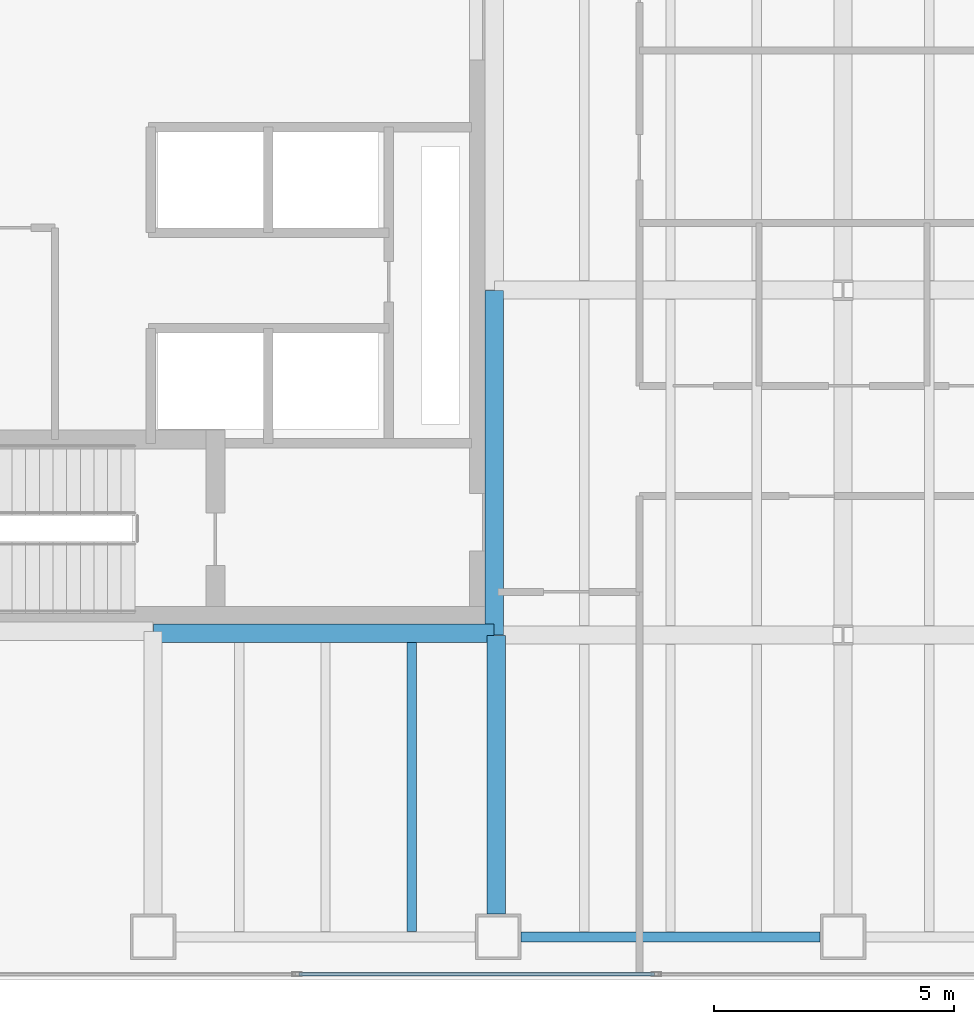
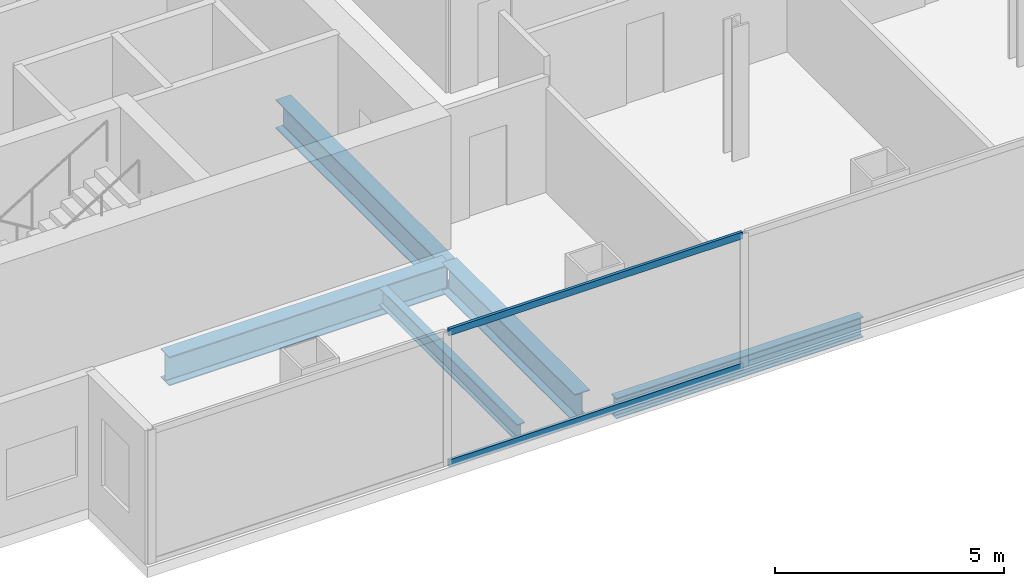
# One storey, part 3 of 23: 5 beams, 2 members, 1 element without a shape of its own.
"""IFC4 building model written with IfcOpenShell, lengths in metres."""

from ifc_helpers import new_model, si_unit, direction, frame, origin, origin_2d, place, context, subcontext, project, spatial, hollow_rectangle, i_section, extrude, material, material_profile, profile_set, type_object, element, aggregate, save


model = new_model("IFC4")

# Units and contexts
model_context = context("Model", 3, precision=1e-05, world=origin(), true_north=direction((0.0, 1.0)))
body_context = subcontext(model_context, "Body", "Model", "MODEL_VIEW")
ifc_project = project(units=[si_unit("LENGTHUNIT", "METRE"), si_unit("AREAUNIT", "SQUARE_METRE"), si_unit("VOLUMEUNIT", "CUBIC_METRE"), si_unit("PLANEANGLEUNIT", "RADIAN"), si_unit("MASSUNIT", "GRAM", prefix="KILO")], contexts=[model_context])

# Site, building, storey
site_placement = place(None, origin())
site = spatial("IfcSite", under=ifc_project, at=site_placement, CompositionType="ELEMENT")
building_placement = place(site_placement, origin())
building = spatial("IfcBuilding", under=site, at=building_placement, Name="Cobrela Telecom Tower", CompositionType="ELEMENT")
storey_placement = place(building_placement, frame((0.0, 0.0, 88.89990234375)))
storey = spatial("IfcBuildingStorey", under=building, at=storey_placement, Name="L22", CompositionType="ELEMENT", Elevation=88.89990234375)

# Beams
ifc_material_1 = material(Name="Steel ASTM A992 Grade 50", Category="steel")
ifc_material_profile_1 = material_profile(ifc_material_1, i_section(OverallWidth=0.381103515625, OverallDepth=0.77197265625, WebThickness=0.0166015625, FlangeThickness=0.027099609375, FilletRadius=0.01904296875, at=origin_2d()), Name="W30X173")
ifc_profile_set_1 = profile_set([ifc_material_profile_1], Name="Steel ASTM A992 Grade 50")
beam_type_1 = type_object("IfcBeamType", Name="BM-GIRD-04", PredefinedType="USERDEFINED", material=ifc_profile_set_1)
beam_1_placement = place(storey_placement, frame((7.205078125, 7.239990234375, -0.666015625), z_axis=(1.0, 0.0, 0.0), x_axis=(0.0, 1.0, 0.0)))
element("IfcBeam", 1, at=beam_1_placement, inside=storey, type_object=beam_type_1, Name="L22 Primary Girder X07", ObjectType="GIRDER", PredefinedType="USERDEFINED", context=body_context, shape_type="SweptSolid", body=[
    extrude(i_section(OverallWidth=0.381103515625, OverallDepth=0.77197265625, WebThickness=0.0166015625, FlangeThickness=0.027099609375, FilletRadius=0.01904296875, at=origin_2d()), origin(), (0.0, 0.0, 1.0), 7.10986328125),
])
beam_2_placement = place(storey_placement, frame((14.360107421875, 1.3798828125, -0.666015625), z_axis=(0.0, 1.0, 0.0), x_axis=(-1.0, 0.0, 0.0)))
element("IfcBeam", 2, at=beam_2_placement, inside=storey, type_object=beam_type_1, Name="L22 Primary Girder Y34", ObjectType="GIRDER", PredefinedType="USERDEFINED", context=body_context, shape_type="SweptSolid", body=[
    extrude(i_section(OverallWidth=0.381103515625, OverallDepth=0.77197265625, WebThickness=0.0166015625, FlangeThickness=0.027099609375, FilletRadius=0.01904296875, at=origin_2d()), origin(), (0.0, 0.0, 1.0), 5.815185546875),
])
beam_3_placement = place(storey_placement, frame((14.320068359375, 7.205078125, -0.666015625), z_axis=(0.0, 1.0, 0.0), x_axis=(-1.0, 0.0, 0.0)))
element("IfcBeam", 3, at=beam_3_placement, inside=storey, type_object=beam_type_1, Name="L22 Primary Girder Y35", ObjectType="GIRDER", PredefinedType="USERDEFINED", context=body_context, shape_type="SweptSolid", body=[
    extrude(i_section(OverallWidth=0.381103515625, OverallDepth=0.77197265625, WebThickness=0.0166015625, FlangeThickness=0.027099609375, FilletRadius=0.01904296875, at=origin_2d()), origin(), (0.0, 0.0, 1.0), 7.18994140625),
])
ifc_material_profile_2 = material_profile(ifc_material_1, i_section(OverallWidth=0.193115234375, OverallDepth=0.467041015625, WebThickness=0.011474609375, FlangeThickness=0.01904296875, FilletRadius=0.012939453125, at=origin_2d()), Name="W18X65")
ifc_profile_set_2 = profile_set([ifc_material_profile_2], Name="Steel ASTM A992 Grade 50")
beam_type_2 = type_object("IfcBeamType", Name="BM-JOIST-03", PredefinedType="JOIST", material=ifc_profile_set_2)
beam_4_placement = place(storey_placement, frame((12.60009765625, 1.011474609375, -0.513427734375), z_axis=(0.0, 1.0, 0.0), x_axis=(-1.0, 0.0, 0.0)))
element("IfcBeam", 4, at=beam_4_placement, inside=storey, type_object=beam_type_2, Name="L22 Secondary Composite Floor Beam J05", PredefinedType="JOIST", context=body_context, shape_type="SweptSolid", body=[
    extrude(i_section(OverallWidth=0.193115234375, OverallDepth=0.467041015625, WebThickness=0.011474609375, FlangeThickness=0.01904296875, FilletRadius=0.012939453125, at=origin_2d()), origin(), (0.0, 0.0, 1.0), 6.032958984375),
])
ifc_material_profile_3 = material_profile(ifc_material_1, i_section(OverallWidth=0.212890625, OverallDepth=0.549072265625, WebThickness=0.0146484375, FlangeThickness=0.023681640625, FilletRadius=0.013916015625, at=origin_2d()), Name="W21X93")
ifc_profile_set_3 = profile_set([ifc_material_profile_3], Name="Steel ASTM A992 Grade 50")
beam_type_3 = type_object("IfcBeamType", Name="BM-SPAND-03", PredefinedType="SPANDREL", material=ifc_profile_set_3)
beam_5_placement = place(storey_placement, frame((14.8798828125, 0.89990234375, -0.554443359375), z_axis=(1.0, 0.0, 0.0), x_axis=(0.0, 1.0, 0.0)))
element("IfcBeam", 5, at=beam_5_placement, inside=storey, type_object=beam_type_3, Name="L22 Perimeter Spandrel X02", PredefinedType="SPANDREL", context=body_context, shape_type="SweptSolid", body=[
    extrude(i_section(OverallWidth=0.212890625, OverallDepth=0.549072265625, WebThickness=0.0146484375, FlangeThickness=0.023681640625, FilletRadius=0.013916015625, at=origin_2d()), origin(), (0.0, 0.0, 1.0), 6.240234375),
])

# Curtain wall, members
ifc_material_2 = material(Name="Anodized Bronze Aluminium 6063-T6", Category="aluminium")
curtain_wall_type = type_object("IfcCurtainWallType", Name="CW-SYS-DATA", PredefinedType="USERDEFINED", material=ifc_material_2)
curtain_wall_placement = place(storey_placement, origin())
curtain_wall = element("IfcCurtainWall", 6, at=curtain_wall_placement, inside=storey, type_object=curtain_wall_type, Name="L22 Unitised Bronze Curtain Wall 17", ObjectType="UNITISED CURTAIN WALL", PredefinedType="USERDEFINED")
ifc_material_profile_4 = material_profile(ifc_material_2, hollow_rectangle(XDim=0.074951171875, YDim=0.179931640625, WallThickness=0.00390625, at=origin_2d()), Name="ALU 75x180x4")
ifc_profile_set_4 = profile_set([ifc_material_profile_4], Name="Anodized Bronze Aluminium 6063-T6")
member_type = type_object("IfcMemberType", Name="CW-SYS-DATA-TRN", PredefinedType="USERDEFINED", material=ifc_profile_set_4)
member_1_placement = place(storey_placement, frame((17.663330078125, 0.1201171875, 0.03759765625), z_axis=(-1.0, 0.0, 0.0), x_axis=(0.0, -1.0, 0.0)))
member_1 = element("IfcMember", 7, at=member_1_placement, type_object=member_type, Name="CW-DATA transom 5.1", ObjectType="TRANSOM", PredefinedType="USERDEFINED", context=body_context, shape_type="SweptSolid", body=[
    extrude(hollow_rectangle(XDim=0.074951171875, YDim=0.179931640625, WallThickness=0.00390625, at=origin_2d()), origin(), (0.0, 0.0, 1.0), 7.416748046875),
])
member_2_placement = place(storey_placement, frame((17.663330078125, 0.1201171875, 3.53271484375), z_axis=(-1.0, 0.0, 0.0), x_axis=(0.0, -1.0, 0.0)))
member_2 = element("IfcMember", 8, at=member_2_placement, type_object=member_type, Name="CW-DATA transom 5.2", ObjectType="TRANSOM", PredefinedType="USERDEFINED", context=body_context, shape_type="SweptSolid", body=[
    extrude(hollow_rectangle(XDim=0.074951171875, YDim=0.179931640625, WallThickness=0.00390625, at=origin_2d()), origin(), (0.0, 0.0, 1.0), 7.416748046875),
])
aggregate(curtain_wall, [member_1, member_2])

save(model, "model.ifc")
